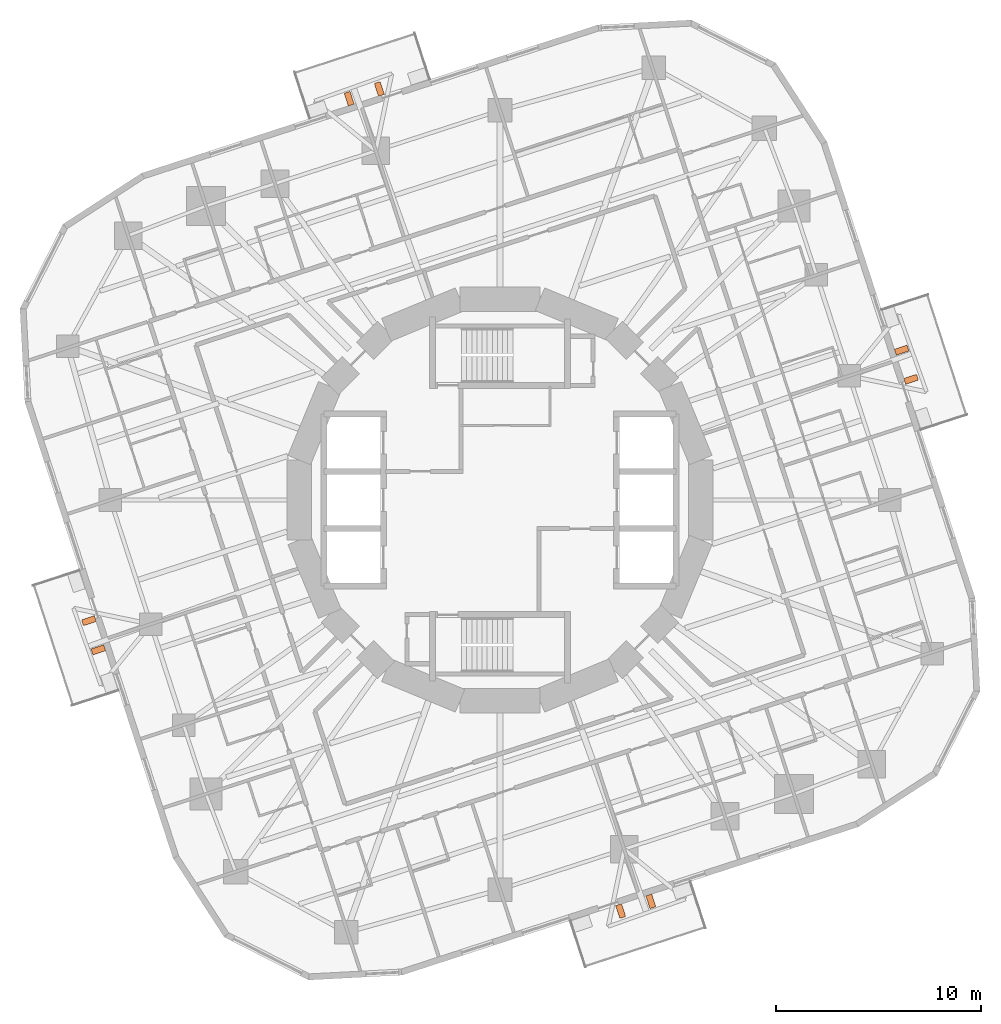
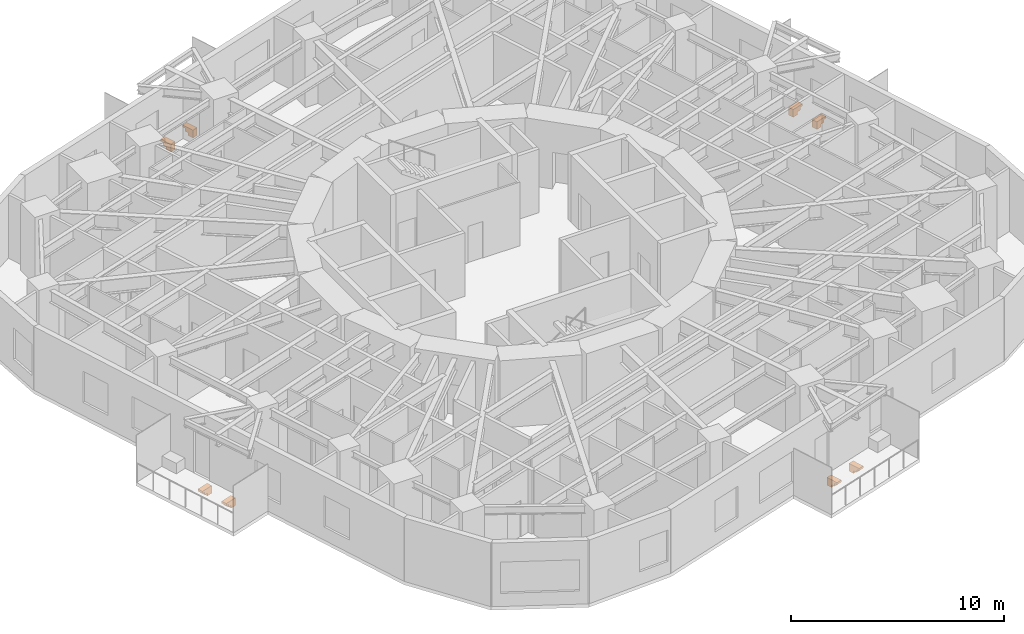
# One storey, part 12 of 12: 8 proxies.
"""IFC4 building model written with IfcOpenShell, lengths in metres."""

from ifc_helpers import new_model, si_unit, direction, frame, origin, place, context, subcontext, project, spatial, polyline, outline, extrude, material, type_object, element, save


model = new_model("IFC4")

# Units and contexts
model_context = context("Model", 3, precision=1e-05, world=origin(), true_north=direction((0.0, 1.0)))
body_context = subcontext(model_context, "Body", "Model", "MODEL_VIEW")
ifc_project = project(units=[si_unit("LENGTHUNIT", "METRE"), si_unit("AREAUNIT", "SQUARE_METRE"), si_unit("VOLUMEUNIT", "CUBIC_METRE"), si_unit("PLANEANGLEUNIT", "RADIAN"), si_unit("MASSUNIT", "GRAM", prefix="KILO")], contexts=[model_context])

# Site, building, storey
site_placement = place(None, origin())
site = spatial("IfcSite", under=ifc_project, at=site_placement, CompositionType="ELEMENT")
building_placement = place(site_placement, origin())
building = spatial("IfcBuilding", under=site, at=building_placement, Name="Nakasero Lantern House", CompositionType="ELEMENT")
storey_placement = place(building_placement, frame((0.0, 0.0, 149.5)))
storey = spatial("IfcBuildingStorey", under=building, at=storey_placement, Name="L36", CompositionType="ELEMENT", Elevation=149.5)

# Proxies
ifc_material = material(Name="Concrete C40/50 precast", Category="concrete")
building_element_proxy_type = type_object("IfcBuildingElementProxyType", Name="Balcony bracket 300", PredefinedType="USERDEFINED", material=ifc_material)
for number, where, z_axis, x_axis, name in (
    (1, (19.777099609375, 5.795166015625, -0.199951171875), (0.0, 0.0, 1.0), (0.951056516, 0.309016994, 0.0), "Balcony bracket L36 0A"),
    (2, (19.313720703125, 7.2216796875, -0.199951171875), (0.0, 0.0, 1.0), (0.951056516, 0.309016994, 0.0), "Balcony bracket L36 0B"),
    (3, (-5.795166015625, 19.777099609375, -0.199951171875), (0.0, 0.0, 1.0), (-0.309016994, 0.951056516, 0.0), "Balcony bracket L36 1A"),
    (4, (-7.269287109375, 19.298095703125, -0.199951171875), (0.0, 0.0, 1.0), (-0.309016994, 0.951056516, 0.0), "Balcony bracket L36 1B"),
    (5, (-19.777099609375, -5.795166015625, -0.199951171875), (0.0, 0.0, 1.0), (-0.951056516, -0.309016994, 0.0), "Balcony bracket L36 2A"),
    (6, (-19.313720703125, -7.2216796875, -0.199951171875), (0.0, 0.0, 1.0), (-0.951056516, -0.309016994, 0.0), "Balcony bracket L36 2B"),
    (7, (5.795166015625, -19.777099609375, -0.199951171875), (0.0, 0.0, 1.0), (0.309016994, -0.951056516, 0.0), "Balcony bracket L36 3A"),
    (8, (7.269287109375, -19.298095703125, -0.199951171875), (0.0, 0.0, 1.0), (0.309016994, -0.951056516, 0.0), "Balcony bracket L36 3B"),
):
    element("IfcBuildingElementProxy", number, at=place(storey_placement, frame(where, z_axis=z_axis, x_axis=x_axis)), inside=storey, type_object=building_element_proxy_type, Name=name, ObjectType="BALCONY BRACKET", PredefinedType="USERDEFINED", context=body_context, shape_type="SweptSolid", body=[
        extrude(outline(polyline([(0.0, 0.0), (0.64990234375, 0.0), (0.64990234375, -0.1201171875), (0.5, -0.1201171875), (0.5, -0.280029296875), (0.300048828125, -0.280029296875), (0.300048828125, -0.43994140625), (0.0, -0.43994140625), (0.0, 0.0)])), frame((0.0, 0.14990234375, 0.0), z_axis=(0.0, -1.0, 0.0), x_axis=(1.0, 0.0, 0.0)), (0.0, 0.0, 1.0), 0.300048828125),
    ])

save(model, "model.ifc")
